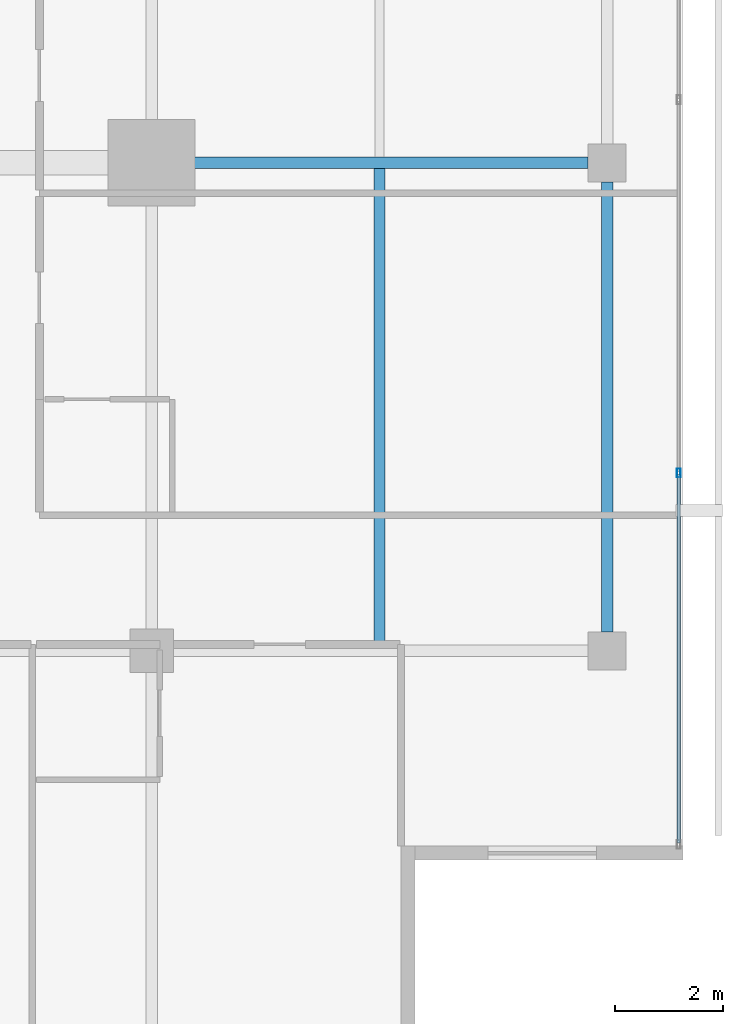
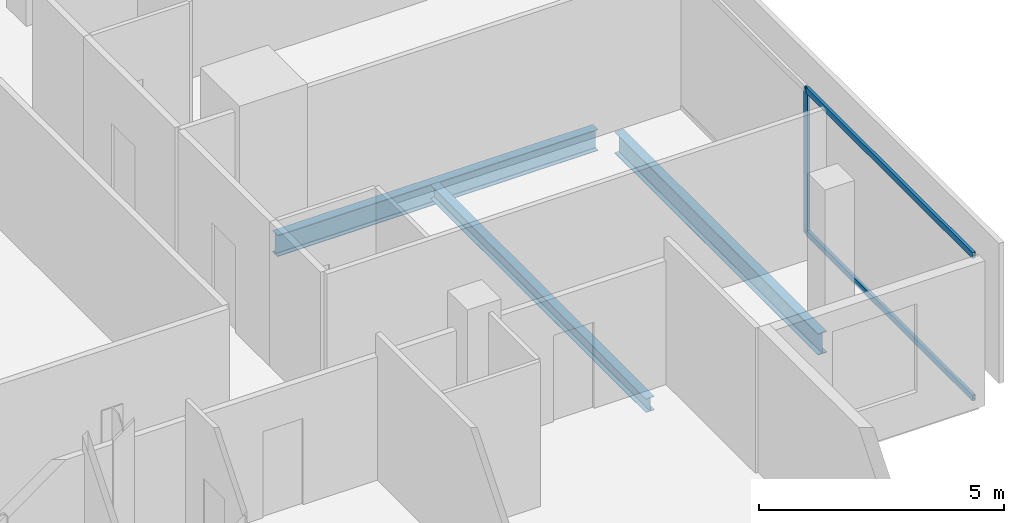
# One storey, part 12 of 25: 3 beams, 3 members, 1 element without a shape of its own.
"""IFC4 building model written with IfcOpenShell, lengths in metres."""

from ifc_helpers import new_model, si_unit, direction, frame, origin, origin_2d, place, context, subcontext, project, spatial, hollow_rectangle, i_section, extrude, material, layer, layer_set, material_profile, profile_set, type_object, element, aggregate, save


model = new_model("IFC4")

# Units and contexts
model_context = context("Model", 3, precision=1e-05, world=origin(), true_north=direction((0.0, 1.0)))
body_context = subcontext(model_context, "Body", "Model", "MODEL_VIEW")
ifc_project = project(units=[si_unit("LENGTHUNIT", "METRE"), si_unit("AREAUNIT", "SQUARE_METRE"), si_unit("VOLUMEUNIT", "CUBIC_METRE"), si_unit("PLANEANGLEUNIT", "RADIAN"), si_unit("MASSUNIT", "GRAM", prefix="KILO")], contexts=[model_context])

# Site, building, storey
site_placement = place(None, origin())
site = spatial("IfcSite", under=ifc_project, at=site_placement, CompositionType="ELEMENT")
building_placement = place(site_placement, origin())
building = spatial("IfcBuilding", under=site, at=building_placement, Name="Maruvema Waterfront Hotel and Observation Tower", CompositionType="ELEMENT")
storey_placement = place(building_placement, frame((0.0, 0.0, 262.5)))
storey = spatial("IfcBuildingStorey", under=building, at=storey_placement, Name="L64", CompositionType="ELEMENT", Elevation=262.5)

# Curtain wall, members
ifc_material_1 = material(Name="Anodised bronze aluminium and solar-control low-E IGU", Category="aluminium")
ifc_layer = layer(ifc_material_1, 0.159912109375, Name="Zone 3 Champagne Inner Thermal Curtain Wall System CW-04")
ifc_layer_set = layer_set([ifc_layer], Name="Anodised bronze aluminium and solar-control low-E IGU")
curtain_wall_type = type_object("IfcCurtainWallType", Name="Zone 3 Champagne Inner Thermal Curtain Wall System CW-04", PredefinedType="USERDEFINED", material=ifc_layer_set)
curtain_wall_placement = place(storey_placement, origin())
curtain_wall = element("IfcCurtainWall", 1, at=curtain_wall_placement, inside=storey, type_object=curtain_wall_type, Name="L64 Curtain Wall CW-L64-E", ObjectType="UNITISED CURTAIN WALL", PredefinedType="USERDEFINED")
ifc_material_2 = material(Name="Anodised architectural bronze aluminium", Category="aluminium")
ifc_material_profile_1 = material_profile(ifc_material_2, hollow_rectangle(XDim=0.070068359375, YDim=0.14990234375, WallThickness=0.00390625, at=origin_2d()), Name="ALU-T70x150")
ifc_profile_set_1 = profile_set([ifc_material_profile_1], Name="Anodised architectural bronze aluminium")
member_type_1 = type_object("IfcMemberType", Name="Curtain Wall Horizontal Transom ALU-T70x150", PredefinedType="USERDEFINED", material=ifc_profile_set_1)
member_1_placement = place(storey_placement, frame((60.1201171875, 14.4599609375, 0.030029296875), z_axis=(0.0, 1.0, 0.0), x_axis=(-1.0, 0.0, 0.0)))
member_1 = element("IfcMember", 2, at=member_1_placement, type_object=member_type_1, Name="CW-04 transom 1.1", ObjectType="TRANSOM", PredefinedType="USERDEFINED", context=body_context, shape_type="SweptSolid", body=[
    extrude(hollow_rectangle(XDim=0.070068359375, YDim=0.14990234375, WallThickness=0.00390625, at=origin_2d()), origin(), (0.0, 0.0, 1.0), 6.7900390625),
])
member_2_placement = place(storey_placement, frame((60.1201171875, 14.4599609375, 3.580078125), z_axis=(0.0, 1.0, 0.0), x_axis=(-1.0, 0.0, 0.0)))
member_2 = element("IfcMember", 3, at=member_2_placement, type_object=member_type_1, Name="CW-04 transom 1.2", ObjectType="TRANSOM", PredefinedType="USERDEFINED", context=body_context, shape_type="SweptSolid", body=[
    extrude(hollow_rectangle(XDim=0.070068359375, YDim=0.14990234375, WallThickness=0.00390625, at=origin_2d()), origin(), (0.0, 0.0, 1.0), 6.7900390625),
])
ifc_material_3 = material(Name="Anodised architectural bronze aluminium", Category="aluminium")
ifc_material_profile_2 = material_profile(ifc_material_3, hollow_rectangle(XDim=0.06494140625, YDim=0.1650390625, WallThickness=0.00390625, at=origin_2d()), Name="ALU-M65x165")
ifc_profile_set_2 = profile_set([ifc_material_profile_2], Name="Anodised architectural bronze aluminium")
member_type_2 = type_object("IfcMemberType", Name="Curtain Wall Primary Mullion ALU-M65x165", PredefinedType="MULLION", material=ifc_profile_set_2)
member_3_placement = place(storey_placement, frame((60.1201171875, 21.280029296875, 0.0), z_axis=(0.0, 0.0, 1.0), x_axis=(-1.0, 0.0, 0.0)))
member_3 = element("IfcMember", 4, at=member_3_placement, type_object=member_type_2, Name="CW-04 mullion 2", PredefinedType="MULLION", context=body_context, shape_type="SweptSolid", body=[
    extrude(hollow_rectangle(XDim=0.06494140625, YDim=0.1650390625, WallThickness=0.00390625, at=origin_2d()), origin(), (0.0, 0.0, 1.0), 3.610107421875),
])
aggregate(curtain_wall, [member_3, member_1, member_2])

# Beams
ifc_material_4 = material(Name="Steel ASTM A572 Grade 50", Category="steel")
ifc_material_profile_3 = material_profile(ifc_material_4, i_section(OverallWidth=0.208984375, OverallDepth=0.532958984375, WebThickness=0.01025390625, FlangeThickness=0.015625, FilletRadius=0.014892578125, at=origin_2d()), Name="W530x92.0")
ifc_profile_set_3 = profile_set([ifc_material_profile_3], Name="Steel ASTM A572 Grade 50")
beam_type_1 = type_object("IfcBeamType", Name="Primary Floor Girder W530x92.0", PredefinedType="BEAM", material=ifc_profile_set_3)
beam_1_placement = place(storey_placement, frame((50.89990234375, 27.0, -0.506591796875), z_axis=(1.0, 0.0, 0.0), x_axis=(0.0, 1.0, 0.0)))
element("IfcBeam", 5, at=beam_1_placement, inside=storey, type_object=beam_type_1, Name="L64 Floor Girder EW-11", PredefinedType="BEAM", context=body_context, shape_type="SweptSolid", body=[
    extrude(i_section(OverallWidth=0.208984375, OverallDepth=0.532958984375, WebThickness=0.01025390625, FlangeThickness=0.015625, FilletRadius=0.014892578125, at=origin_2d()), origin(), (0.0, 0.0, 1.0), 7.550048828125),
])
beam_2_placement = place(storey_placement, frame((58.800048828125, 18.35009765625, -0.506591796875), z_axis=(0.0, 1.0, 0.0), x_axis=(-1.0, 0.0, 0.0)))
element("IfcBeam", 6, at=beam_2_placement, inside=storey, type_object=beam_type_1, Name="L64 Floor Girder NS-16", PredefinedType="BEAM", context=body_context, shape_type="SweptSolid", body=[
    extrude(i_section(OverallWidth=0.208984375, OverallDepth=0.532958984375, WebThickness=0.01025390625, FlangeThickness=0.015625, FilletRadius=0.014892578125, at=origin_2d()), origin(), (0.0, 0.0, 1.0), 8.2998046875),
])
ifc_material_5 = material(Name="Steel ASTM A572 Grade 50", Category="steel")
ifc_material_profile_4 = material_profile(ifc_material_5, i_section(OverallWidth=0.202880859375, OverallDepth=0.346923828125, WebThickness=0.0078125, FlangeThickness=0.013427734375, FilletRadius=0.014892578125, at=origin_2d()), Name="W360x64.0")
ifc_profile_set_4 = profile_set([ifc_material_profile_4], Name="Steel ASTM A572 Grade 50")
beam_type_2 = type_object("IfcBeamType", Name="Secondary Floor Joist W360x64.0", PredefinedType="JOIST", material=ifc_profile_set_4)
beam_3_placement = place(storey_placement, frame((54.60009765625, 18.1044921875, -0.41357421875), z_axis=(0.0, 1.0, 0.0), x_axis=(-1.0, 0.0, 0.0)))
element("IfcBeam", 7, at=beam_3_placement, inside=storey, type_object=beam_type_2, Name="L64 Secondary Floor Joist JS-07", PredefinedType="JOIST", context=body_context, shape_type="SweptSolid", body=[
    extrude(i_section(OverallWidth=0.202880859375, OverallDepth=0.346923828125, WebThickness=0.0078125, FlangeThickness=0.013427734375, FilletRadius=0.014892578125, at=origin_2d()), origin(), (0.0, 0.0, 1.0), 8.791015625),
])

save(model, "model.ifc")
